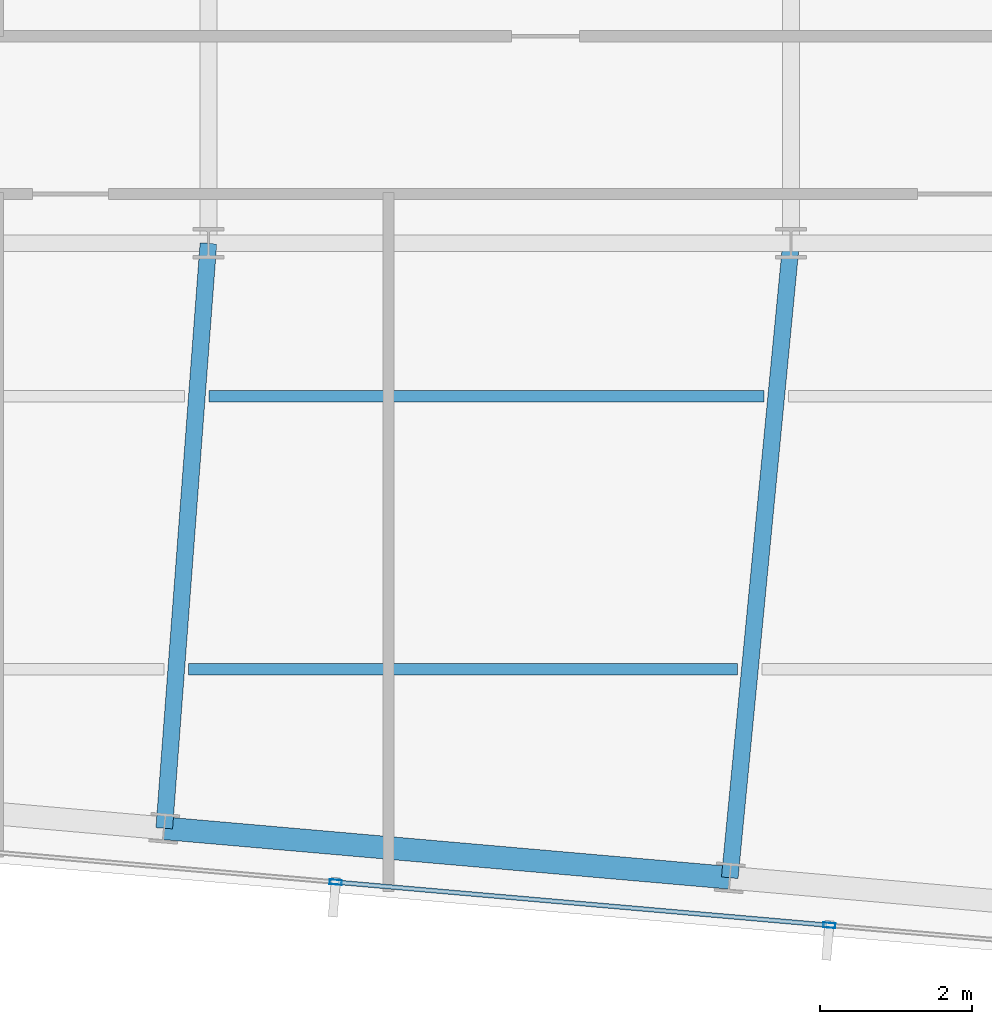
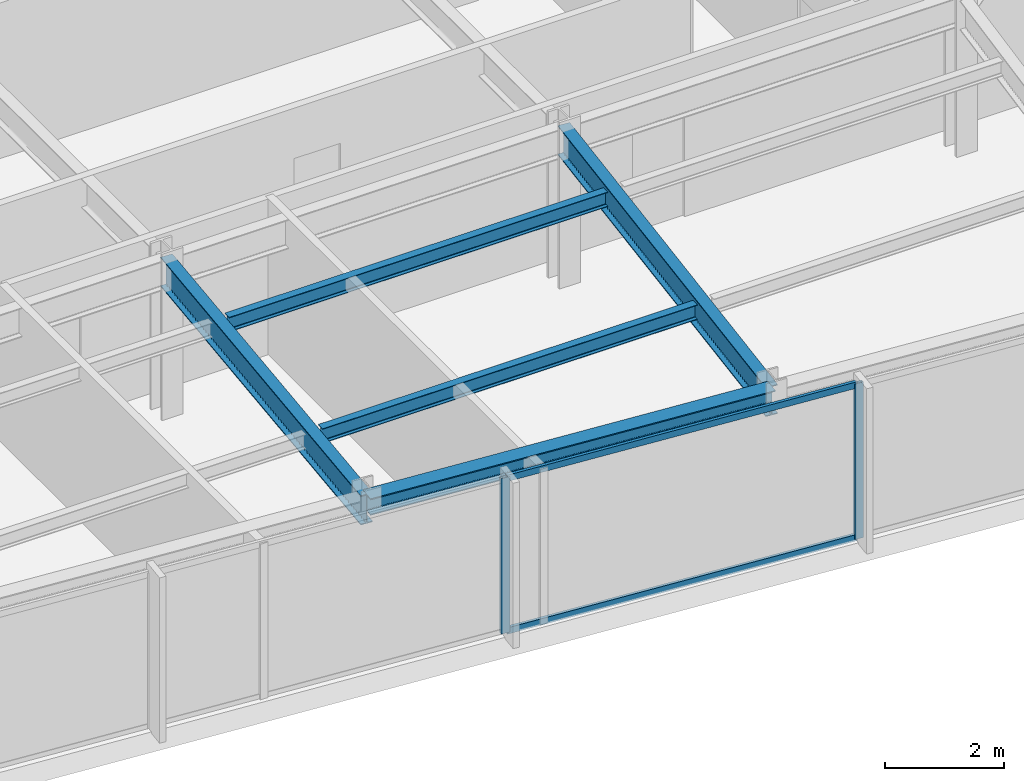
# One storey, part 13 of 32: 5 beams, 4 members, 1 element without a shape of its own.
"""IFC4 building model written with IfcOpenShell, lengths in metres."""

from ifc_helpers import new_model, si_unit, direction, frame, origin, origin_2d, place, context, subcontext, project, spatial, hollow_rectangle, i_section, extrude, material, material_profile, profile_set, type_object, element, aggregate, save


model = new_model("IFC4")

# Units and contexts
model_context = context("Model", 3, precision=1e-05, world=origin(), true_north=direction((0.0, 1.0)))
body_context = subcontext(model_context, "Body", "Model", "MODEL_VIEW")
ifc_project = project(units=[si_unit("LENGTHUNIT", "METRE"), si_unit("AREAUNIT", "SQUARE_METRE"), si_unit("VOLUMEUNIT", "CUBIC_METRE"), si_unit("PLANEANGLEUNIT", "RADIAN"), si_unit("MASSUNIT", "GRAM", prefix="KILO")], contexts=[model_context])

# Site, building, storey
site_placement = place(None, origin())
site = spatial("IfcSite", under=ifc_project, at=site_placement, CompositionType="ELEMENT")
building_placement = place(site_placement, origin())
building = spatial("IfcBuilding", under=site, at=building_placement, Name="Yelkora Congress Tower", CompositionType="ELEMENT")
storey_placement = place(building_placement, frame((0.0, 0.0, 259.10009765625)))
storey = spatial("IfcBuildingStorey", under=building, at=storey_placement, Name="L72", CompositionType="ELEMENT", Elevation=259.10009765625)

# Beams
ifc_material_1 = material(Name="Steel S355J2", Category="steel")
ifc_material_profile_1 = material_profile(ifc_material_1, i_section(OverallWidth=0.219970703125, OverallDepth=0.60009765625, WebThickness=0.011962890625, FlangeThickness=0.01904296875, FilletRadius=0.02392578125, at=origin_2d()), Name="IPE 600")
ifc_profile_set_1 = profile_set([ifc_material_profile_1], Name="Steel S355J2")
beam_type_1 = type_object("IfcBeamType", Name="BM-GIRD-IPE600", PredefinedType="BEAM", material=ifc_profile_set_1)
beam_1_placement = place(storey_placement, frame((37.8173828125, 17.489013671875, 2.8798828125), z_axis=(0.075329932006, 0.997158664077, 0.0), x_axis=(-0.997158664077, 0.075329932006, 0.0)))
element("IfcBeam", 1, at=beam_1_placement, inside=storey, type_object=beam_type_1, Name="L72 Primary Frame Girder S05", PredefinedType="BEAM", context=body_context, shape_type="SweptSolid", body=[
    extrude(i_section(OverallWidth=0.219970703125, OverallDepth=0.60009765625, WebThickness=0.011962890625, FlangeThickness=0.01904296875, FilletRadius=0.02392578125, at=origin_2d()), origin(), (0.0, 0.0, 1.0), 7.73291015625),
])
beam_2_placement = place(storey_placement, frame((45.2724609375, 16.836669921875, 2.8798828125), z_axis=(0.096119896563, 0.995369763196, 0.0), x_axis=(-0.995369763196, 0.096119896563, 0.0)))
element("IfcBeam", 2, at=beam_2_placement, inside=storey, type_object=beam_type_1, Name="L72 Primary Frame Girder S06", PredefinedType="BEAM", context=body_context, shape_type="SweptSolid", body=[
    extrude(i_section(OverallWidth=0.219970703125, OverallDepth=0.60009765625, WebThickness=0.011962890625, FlangeThickness=0.01904296875, FilletRadius=0.02392578125, at=origin_2d()), origin(), (0.0, 0.0, 1.0), 8.402099609375),
])
ifc_material_profile_2 = material_profile(ifc_material_1, i_section(OverallWidth=0.14990234375, OverallDepth=0.300048828125, WebThickness=0.007080078125, FlangeThickness=0.0107421875, FilletRadius=0.014892578125, at=origin_2d()), Name="IPE 300")
ifc_profile_set_2 = profile_set([ifc_material_profile_2], Name="Steel S355J2")
beam_type_2 = type_object("IfcBeamType", Name="BM-JOIST-IPE300", PredefinedType="JOIST", material=ifc_profile_set_2)
beam_3_placement = place(storey_placement, frame((38.1357421875, 19.58447265625, 3.02978515625), z_axis=(1.0, 0.0, 0.0), x_axis=(0.0, 1.0, 0.0)))
element("IfcBeam", 3, at=beam_3_placement, inside=storey, type_object=beam_type_2, Name="L72 Composite Floor Joist 3", PredefinedType="JOIST", context=body_context, shape_type="SweptSolid", body=[
    extrude(i_section(OverallWidth=0.14990234375, OverallDepth=0.300048828125, WebThickness=0.007080078125, FlangeThickness=0.0107421875, FilletRadius=0.014892578125, at=origin_2d()), origin(), (0.0, 0.0, 1.0), 7.241943359375),
])
beam_4_placement = place(storey_placement, frame((38.40771484375, 23.1845703125, 3.02978515625), z_axis=(1.0, 0.0, 0.0), x_axis=(0.0, 1.0, 0.0)))
element("IfcBeam", 4, at=beam_4_placement, inside=storey, type_object=beam_type_2, Name="L72 Composite Floor Joist 7", PredefinedType="JOIST", context=body_context, shape_type="SweptSolid", body=[
    extrude(i_section(OverallWidth=0.14990234375, OverallDepth=0.300048828125, WebThickness=0.007080078125, FlangeThickness=0.0107421875, FilletRadius=0.014892578125, at=origin_2d()), origin(), (0.0, 0.0, 1.0), 7.317626953125),
])
ifc_material_profile_3 = material_profile(ifc_material_1, i_section(OverallWidth=0.300048828125, OverallDepth=0.340087890625, WebThickness=0.011962890625, FlangeThickness=0.021484375, FilletRadius=0.027099609375, at=origin_2d()), Name="HEB 340")
ifc_profile_set_3 = profile_set([ifc_material_profile_3], Name="Steel S355J2")
beam_type_3 = type_object("IfcBeamType", Name="BM-SPAN-HEB340", PredefinedType="SPANDREL", material=ifc_profile_set_3)
beam_5_placement = place(storey_placement, frame((37.8173828125, 17.489013671875, 3.010009765625), z_axis=(0.996193434204, -0.08717018785, 0.0), x_axis=(0.08717018785, 0.996193434204, 0.0)))
element("IfcBeam", 5, at=beam_5_placement, inside=storey, type_object=beam_type_3, Name="L72 Perimeter Beam 5", PredefinedType="SPANDREL", context=body_context, shape_type="SweptSolid", body=[
    extrude(i_section(OverallWidth=0.300048828125, OverallDepth=0.340087890625, WebThickness=0.011962890625, FlangeThickness=0.021484375, FilletRadius=0.027099609375, at=origin_2d()), origin(), (0.0, 0.0, 1.0), 7.483642578125),
])

# Curtain wall, members
ifc_material_2 = material(Name="Anodised aluminium and insulated glass", Category="aluminium")
curtain_wall_type = type_object("IfcCurtainWallType", Name="CW-SYS-B5", PredefinedType="NOTDEFINED", material=ifc_material_2)
curtain_wall_placement = place(storey_placement, origin())
curtain_wall = element("IfcCurtainWall", 6, at=curtain_wall_placement, inside=storey, type_object=curtain_wall_type, Name="L72 Unitised Curtain Wall 20", PredefinedType="NOTDEFINED")
ifc_material_3 = material(Name="Anodised aluminium 6063-T6", Category="aluminium")
ifc_material_profile_4 = material_profile(ifc_material_3, hollow_rectangle(XDim=0.06494140625, YDim=0.159912109375, WallThickness=0.00390625, at=origin_2d()), Name="ALU 65x160x4")
ifc_profile_set_4 = profile_set([ifc_material_profile_4], Name="Anodised aluminium 6063-T6")
member_type_1 = type_object("IfcMemberType", Name="MEM-ML-B5", PredefinedType="MULLION", material=ifc_profile_set_4)
member_1_placement = place(storey_placement, frame((46.58447265625, 16.2099609375, 0.0), z_axis=(0.0, 0.0, 1.0), x_axis=(-0.087156829793, -0.996194602987, 0.0)))
member_1 = element("IfcMember", 7, at=member_1_placement, type_object=member_type_1, Name="CW-B5 mullion 2", PredefinedType="MULLION", context=body_context, shape_type="SweptSolid", body=[
    extrude(hollow_rectangle(XDim=0.06494140625, YDim=0.159912109375, WallThickness=0.00390625, at=origin_2d()), origin(), (0.0, 0.0, 1.0), 3.179931640625),
])
member_2_placement = place(storey_placement, frame((40.077880859375, 16.779296875, 0.0), z_axis=(0.0, 0.0, 1.0), x_axis=(-0.087156829793, -0.996194602987, 0.0)))
member_2 = element("IfcMember", 8, at=member_2_placement, type_object=member_type_1, Name="CW-B5 mullion 3", PredefinedType="MULLION", context=body_context, shape_type="SweptSolid", body=[
    extrude(hollow_rectangle(XDim=0.06494140625, YDim=0.159912109375, WallThickness=0.00390625, at=origin_2d()), origin(), (0.0, 0.0, 1.0), 3.179931640625),
])
ifc_material_profile_5 = material_profile(ifc_material_3, hollow_rectangle(XDim=0.06005859375, YDim=0.1298828125, WallThickness=0.00390625, at=origin_2d()), Name="ALU 60x130x4")
ifc_profile_set_5 = profile_set([ifc_material_profile_5], Name="Anodised aluminium 6063-T6")
member_type_2 = type_object("IfcMemberType", Name="MEM-TR-B5", PredefinedType="USERDEFINED", material=ifc_profile_set_5)
member_3_placement = place(storey_placement, frame((46.55224609375, 16.212890625, 0.02978515625), z_axis=(-0.996196257862, 0.087137912649, 0.0), x_axis=(-0.087137912649, -0.996196257862, 0.0)))
member_3 = element("IfcMember", 9, at=member_3_placement, type_object=member_type_2, Name="CW-B5 transom 2.1", ObjectType="TRANSOM", PredefinedType="USERDEFINED", context=body_context, shape_type="SweptSolid", body=[
    extrude(hollow_rectangle(XDim=0.06005859375, YDim=0.1298828125, WallThickness=0.00390625, at=origin_2d()), origin(), (0.0, 0.0, 1.0), 6.466552734375),
])
member_4_placement = place(storey_placement, frame((46.55224609375, 16.212890625, 3.14990234375), z_axis=(-0.996196257862, 0.087137912649, 0.0), x_axis=(-0.087137912649, -0.996196257862, 0.0)))
member_4 = element("IfcMember", 10, at=member_4_placement, type_object=member_type_2, Name="CW-B5 transom 2.2", ObjectType="TRANSOM", PredefinedType="USERDEFINED", context=body_context, shape_type="SweptSolid", body=[
    extrude(hollow_rectangle(XDim=0.06005859375, YDim=0.1298828125, WallThickness=0.00390625, at=origin_2d()), origin(), (0.0, 0.0, 1.0), 6.466552734375),
])
aggregate(curtain_wall, [member_1, member_2, member_3, member_4])

save(model, "model.ifc")
